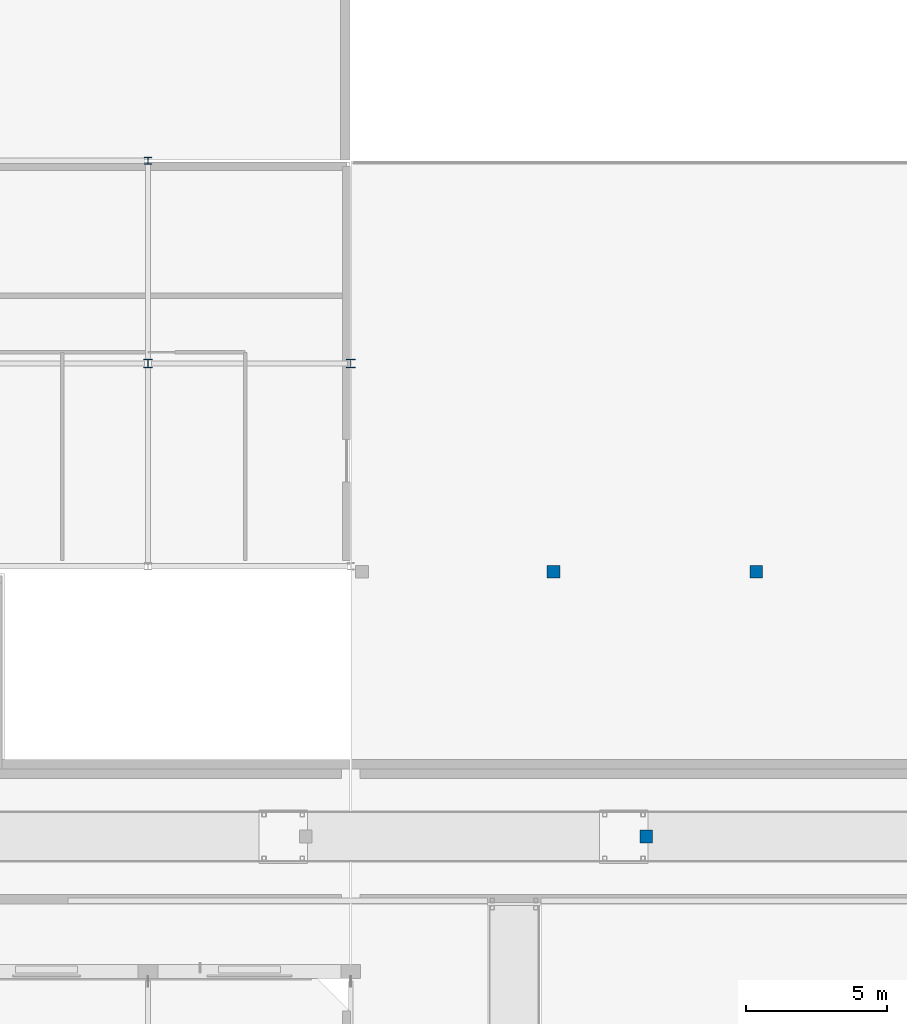
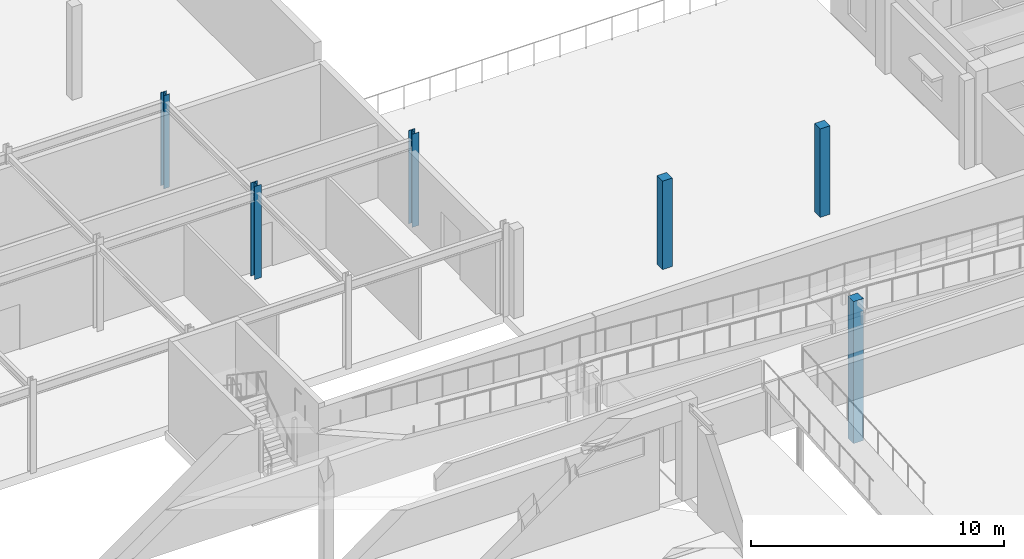
# One storey, part 19 of 85: 6 columns.
"""IFC4 building model written with IfcOpenShell, lengths in metres."""

from ifc_helpers import new_model, si_unit, direction, frame, origin, origin_2d, place, context, subcontext, project, spatial, rectangle, i_section, extrude, material, material_profile, profile_set, type_object, element, save


model = new_model("IFC4")

# Units and contexts
model_context = context("Model", 3, precision=1e-05, world=origin(), true_north=direction((0.0, 1.0)))
body_context = subcontext(model_context, "Body", "Model", "MODEL_VIEW")
ifc_project = project(units=[si_unit("LENGTHUNIT", "METRE"), si_unit("AREAUNIT", "SQUARE_METRE"), si_unit("VOLUMEUNIT", "CUBIC_METRE"), si_unit("PLANEANGLEUNIT", "RADIAN"), si_unit("MASSUNIT", "GRAM", prefix="KILO")], contexts=[model_context])

# Site, building, storey
site_placement = place(None, origin())
site = spatial("IfcSite", under=ifc_project, at=site_placement, CompositionType="ELEMENT")
building_placement = place(site_placement, origin())
building = spatial("IfcBuilding", under=site, at=building_placement, Name="Ochrevale Crest", CompositionType="ELEMENT")
storey_placement = place(building_placement, origin())
storey = spatial("IfcBuildingStorey", under=building, at=storey_placement, Name="L00", CompositionType="ELEMENT", Elevation=0.0)

# Columns
ifc_material_1 = material(Name="Precast concrete C40/50", Category="concrete")
ifc_material_profile_1 = material_profile(ifc_material_1, rectangle(XDim=0.449951171875, YDim=0.449951171875, at=origin_2d()), Name="RC 450x450")
ifc_profile_set_1 = profile_set([ifc_material_profile_1], Name="Precast concrete C40/50")
column_type_1 = type_object("IfcColumnType", Name="COL-RC450x450", PredefinedType="COLUMN", material=ifc_profile_set_1)
column_1_placement = place(storey_placement, frame((118.5, 69.60009765625, -3.860107421875), z_axis=(0.0, 0.0, 1.0), x_axis=(1.0, 0.0, 0.0)))
element("IfcColumn", 1, at=column_1_placement, inside=storey, type_object=column_type_1, Name="Foundation support pier FTG-PF-RE2A", PredefinedType="COLUMN", context=body_context, shape_type="SweptSolid", body=[
    extrude(rectangle(XDim=0.449951171875, YDim=0.449951171875, at=origin_2d()), origin(), (0.0, 0.0, 1.0), 6.860107421875),
])
for number, where, z_axis, x_axis, name in (
    (2, (115.199951171875, 79.0, 0.0), (0.0, 0.0, 1.0), (1.0, 0.0, 0.0), "Step 3 promenade support column"),
    (3, (122.39990234375, 79.0, 0.0), (0.0, 0.0, 1.0), (1.0, 0.0, 0.0), "Step 3 promenade support column"),
):
    element("IfcColumn", number, at=place(storey_placement, frame(where, z_axis=z_axis, x_axis=x_axis)), inside=storey, type_object=column_type_1, Name=name, PredefinedType="COLUMN", context=body_context, shape_type="SweptSolid", body=[
        extrude(rectangle(XDim=0.449951171875, YDim=0.449951171875, at=origin_2d()), origin(), (0.0, 0.0, 1.0), 4.27490234375),
    ])
ifc_material_2 = material(Name="Steel S355", Category="steel")
ifc_material_profile_2 = material_profile(ifc_material_2, i_section(OverallWidth=0.256103515625, OverallDepth=0.260009765625, WebThickness=0.010498046875, FlangeThickness=0.017333984375, FilletRadius=0.0126953125, at=origin_2d()), Name="250UC89.5")
ifc_profile_set_2 = profile_set([ifc_material_profile_2], Name="Steel S355")
column_type_2 = type_object("IfcColumnType", Name="COL-UC250B", PredefinedType="COLUMN", material=ifc_profile_set_2)
column_2_placement = place(storey_placement, frame((100.800048828125, 93.60009765625, 0.0), z_axis=(0.0, 0.0, 1.0), x_axis=(1.0, 0.0, 0.0)))
element("IfcColumn", 4, at=column_2_placement, inside=storey, type_object=column_type_2, Name="Nursery L00 steel column (100.8,93.6)", PredefinedType="COLUMN", context=body_context, shape_type="SweptSolid", body=[
    extrude(i_section(OverallWidth=0.256103515625, OverallDepth=0.260009765625, WebThickness=0.010498046875, FlangeThickness=0.017333984375, FilletRadius=0.0126953125, at=origin_2d()), origin(), (0.0, 0.0, 1.0), 4.5),
])
ifc_material_profile_3 = material_profile(ifc_material_2, i_section(OverallWidth=0.3046875, OverallDepth=0.307861328125, WebThickness=0.010009765625, FlangeThickness=0.015380859375, FilletRadius=0.0166015625, at=origin_2d()), Name="310UC96.8")
ifc_profile_set_3 = profile_set([ifc_material_profile_3], Name="Steel S355")
column_type_3 = type_object("IfcColumnType", Name="COL-UC310A", PredefinedType="COLUMN", material=ifc_profile_set_3)
for number, where, z_axis, x_axis, name in (
    (5, (100.800048828125, 86.39990234375, 0.0), (0.0, 0.0, 1.0), (1.0, 0.0, 0.0), "Nursery L00 steel column (100.8,86.4)"),
    (6, (108.0, 86.39990234375, 0.0), (0.0, 0.0, 1.0), (1.0, 0.0, 0.0), "Nursery L00 steel column (108.0,86.4)"),
):
    element("IfcColumn", number, at=place(storey_placement, frame(where, z_axis=z_axis, x_axis=x_axis)), inside=storey, type_object=column_type_3, Name=name, PredefinedType="COLUMN", context=body_context, shape_type="SweptSolid", body=[
        extrude(i_section(OverallWidth=0.3046875, OverallDepth=0.307861328125, WebThickness=0.010009765625, FlangeThickness=0.015380859375, FilletRadius=0.0166015625, at=origin_2d()), origin(), (0.0, 0.0, 1.0), 4.5),
    ])

save(model, "model.ifc")
